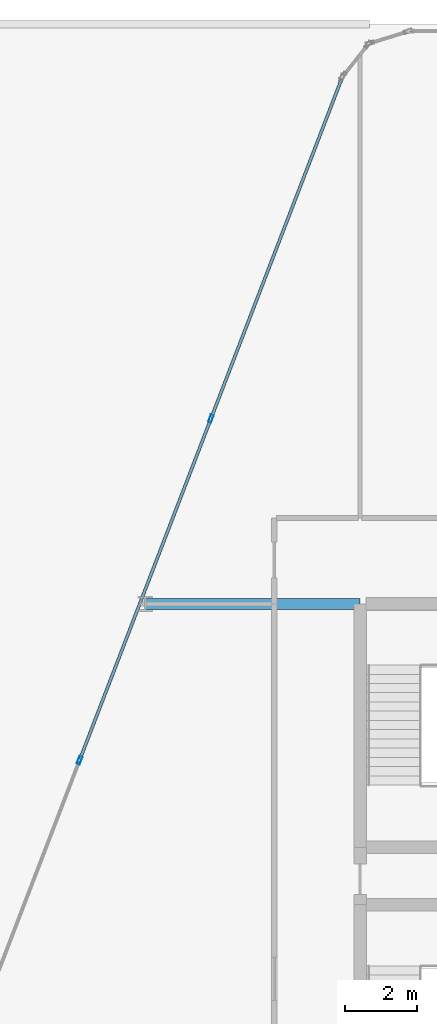
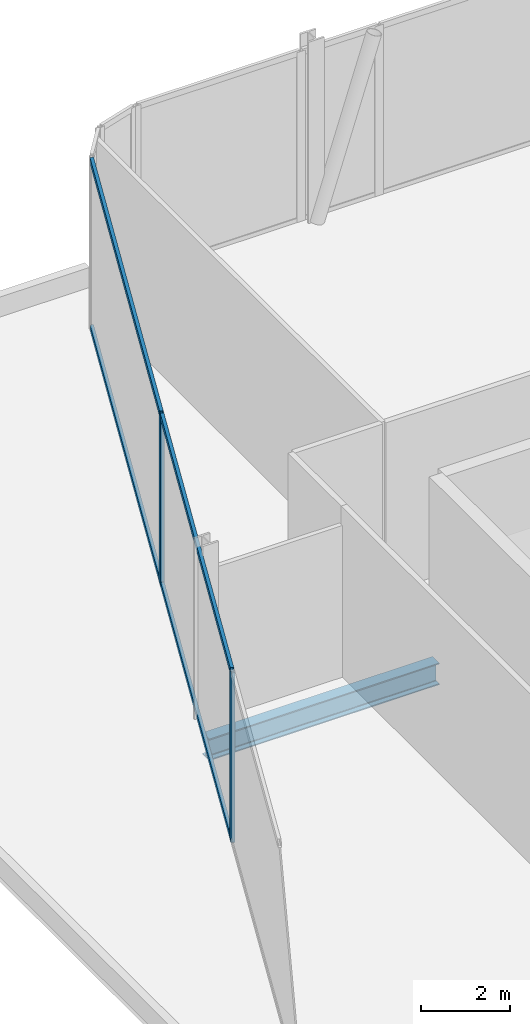
# One storey, part 9 of 29: 6 members, 1 beam, 1 element without a shape of its own.
"""IFC4 building model written with IfcOpenShell, lengths in metres."""

from ifc_helpers import new_model, si_unit, direction, frame, origin, origin_2d, place, context, subcontext, project, spatial, hollow_rectangle, i_section, extrude, material, layer, layer_set, material_profile, profile_set, type_object, element, aggregate, save


model = new_model("IFC4")

# Units and contexts
model_context = context("Model", 3, precision=1e-05, world=origin(), true_north=direction((0.0, 1.0)))
body_context = subcontext(model_context, "Body", "Model", "MODEL_VIEW")
ifc_project = project(units=[si_unit("LENGTHUNIT", "METRE"), si_unit("AREAUNIT", "SQUARE_METRE"), si_unit("VOLUMEUNIT", "CUBIC_METRE"), si_unit("PLANEANGLEUNIT", "RADIAN"), si_unit("MASSUNIT", "GRAM", prefix="KILO")], contexts=[model_context])

# Site, building, storey
site_placement = place(None, origin())
site = spatial("IfcSite", under=ifc_project, at=site_placement, CompositionType="ELEMENT")
building_placement = place(site_placement, origin())
building = spatial("IfcBuilding", under=site, at=building_placement, Name="Keshet Zoharim Tower", CompositionType="ELEMENT")
storey_placement = place(building_placement, frame((0.0, 0.0, 19.0)))
storey = spatial("IfcBuildingStorey", under=building, at=storey_placement, Name="L03", CompositionType="ELEMENT", Elevation=19.0)

# Beam
ifc_material_1 = material(Name="Steel S355", Category="steel")
ifc_material_profile_1 = material_profile(ifc_material_1, i_section(OverallWidth=0.300048828125, OverallDepth=0.60009765625, WebThickness=0.015380859375, FlangeThickness=0.030029296875, FilletRadius=0.027099609375, at=origin_2d()), Name="HEB600")
ifc_profile_set_1 = profile_set([ifc_material_profile_1], Name="Steel S355")
beam_type = type_object("IfcBeamType", Name="BM-WEB-HB600", PredefinedType="BEAM", material=ifc_profile_set_1)
beam_placement = place(storey_placement, frame((9.0, 37.89990234375, -0.719970703125), z_axis=(1.0, 0.0, 0.0), x_axis=(0.0, 1.0, 0.0)))
element("IfcBeam", 1, at=beam_placement, inside=storey, type_object=beam_type, Name="L03 Primary Girder X-006", PredefinedType="BEAM", context=body_context, shape_type="SweptSolid", body=[
    extrude(i_section(OverallWidth=0.300048828125, OverallDepth=0.60009765625, WebThickness=0.015380859375, FlangeThickness=0.030029296875, FilletRadius=0.027099609375, at=origin_2d()), origin(), (0.0, 0.0, 1.0), 6.0),
])

# Curtain wall, members
ifc_material_2 = material(Name="Aluminium 6063-T6", Category="aluminium")
ifc_layer = layer(ifc_material_2, 0.179931640625)
ifc_layer_set = layer_set([ifc_layer], Name="Aluminium 6063-T6")
curtain_wall_type = type_object("IfcCurtainWallType", Name="CW-SYS-01", PredefinedType="NOTDEFINED", material=ifc_layer_set)
curtain_wall_placement = place(storey_placement, origin())
curtain_wall = element("IfcCurtainWall", 2, at=curtain_wall_placement, inside=storey, type_object=curtain_wall_type, Name="L03 Unitised Curtain Wall 03", PredefinedType="NOTDEFINED")
ifc_material_profile_2 = material_profile(ifc_material_2, hollow_rectangle(XDim=0.090087890625, YDim=0.219970703125, WallThickness=0.0048828125, at=origin_2d()), Name="MUL-90x220")
ifc_profile_set_2 = profile_set([ifc_material_profile_2], Name="Aluminium 6063-T6")
member_type_1 = type_object("IfcMemberType", Name="CWM-M22", PredefinedType="MULLION", material=ifc_profile_set_2)
member_1_placement = place(storey_placement, frame((7.1669921875, 33.53466796875, 0.0), z_axis=(0.0, 0.0, 1.0), x_axis=(-0.933341404361, 0.358990003907, 0.0)))
member_1 = element("IfcMember", 3, at=member_1_placement, type_object=member_type_1, Name="CW-01 mullion 2", PredefinedType="MULLION", context=body_context, shape_type="SweptSolid", body=[
    extrude(hollow_rectangle(XDim=0.090087890625, YDim=0.219970703125, WallThickness=0.0048828125, at=origin_2d()), origin(), (0.0, 0.0, 1.0), 4.68505859375),
])
member_2_placement = place(storey_placement, frame((10.8369140625, 43.076416015625, 0.0), z_axis=(0.0, 0.0, 1.0), x_axis=(-0.933341404361, 0.358990003907, 0.0)))
member_2 = element("IfcMember", 4, at=member_2_placement, type_object=member_type_1, Name="CW-01 mullion 3", PredefinedType="MULLION", context=body_context, shape_type="SweptSolid", body=[
    extrude(hollow_rectangle(XDim=0.090087890625, YDim=0.219970703125, WallThickness=0.0048828125, at=origin_2d()), origin(), (0.0, 0.0, 1.0), 4.68505859375),
])
ifc_material_profile_3 = material_profile(ifc_material_2, hollow_rectangle(XDim=0.0849609375, YDim=0.159912109375, WallThickness=0.00439453125, at=origin_2d()), Name="TRN-85x160")
ifc_profile_set_3 = profile_set([ifc_material_profile_3], Name="Aluminium 6063-T6")
member_type_2 = type_object("IfcMemberType", Name="CWT-T16", PredefinedType="USERDEFINED", material=ifc_profile_set_3)
member_3_placement = place(storey_placement, frame((7.179443359375, 33.5673828125, 0.034912109375), z_axis=(0.359003248899, 0.933336309848, 0.0), x_axis=(-0.933336309848, 0.359003248899, 0.0)))
member_3 = element("IfcMember", 5, at=member_3_placement, type_object=member_type_2, Name="CW-01 transom 2.1", ObjectType="TRANSOM", PredefinedType="USERDEFINED", context=body_context, shape_type="SweptSolid", body=[
    extrude(hollow_rectangle(XDim=0.0849609375, YDim=0.159912109375, WallThickness=0.00439453125, at=origin_2d()), origin(), (0.0, 0.0, 1.0), 10.153076171875),
])
member_4_placement = place(storey_placement, frame((7.179443359375, 33.5673828125, 4.64990234375), z_axis=(0.359003248899, 0.933336309848, 0.0), x_axis=(-0.933336309848, 0.359003248899, 0.0)))
member_4 = element("IfcMember", 6, at=member_4_placement, type_object=member_type_2, Name="CW-01 transom 2.2", ObjectType="TRANSOM", PredefinedType="USERDEFINED", context=body_context, shape_type="SweptSolid", body=[
    extrude(hollow_rectangle(XDim=0.0849609375, YDim=0.159912109375, WallThickness=0.00439453125, at=origin_2d()), origin(), (0.0, 0.0, 1.0), 10.153076171875),
])
member_5_placement = place(storey_placement, frame((10.849609375, 43.10888671875, 0.034912109375), z_axis=(0.358985546764, 0.933343118694, 0.0), x_axis=(-0.933343118694, 0.358985546764, 0.0)))
member_5 = element("IfcMember", 7, at=member_5_placement, type_object=member_type_2, Name="CW-01 transom 3.1", ObjectType="TRANSOM", PredefinedType="USERDEFINED", context=body_context, shape_type="SweptSolid", body=[
    extrude(hollow_rectangle(XDim=0.0849609375, YDim=0.159912109375, WallThickness=0.00439453125, at=origin_2d()), origin(), (0.0, 0.0, 1.0), 10.118408203125),
])
member_6_placement = place(storey_placement, frame((10.849609375, 43.10888671875, 4.64990234375), z_axis=(0.358985546764, 0.933343118694, 0.0), x_axis=(-0.933343118694, 0.358985546764, 0.0)))
member_6 = element("IfcMember", 8, at=member_6_placement, type_object=member_type_2, Name="CW-01 transom 3.2", ObjectType="TRANSOM", PredefinedType="USERDEFINED", context=body_context, shape_type="SweptSolid", body=[
    extrude(hollow_rectangle(XDim=0.0849609375, YDim=0.159912109375, WallThickness=0.00439453125, at=origin_2d()), origin(), (0.0, 0.0, 1.0), 10.118408203125),
])
aggregate(curtain_wall, [member_1, member_2, member_3, member_4, member_5, member_6])

save(model, "model.ifc")
